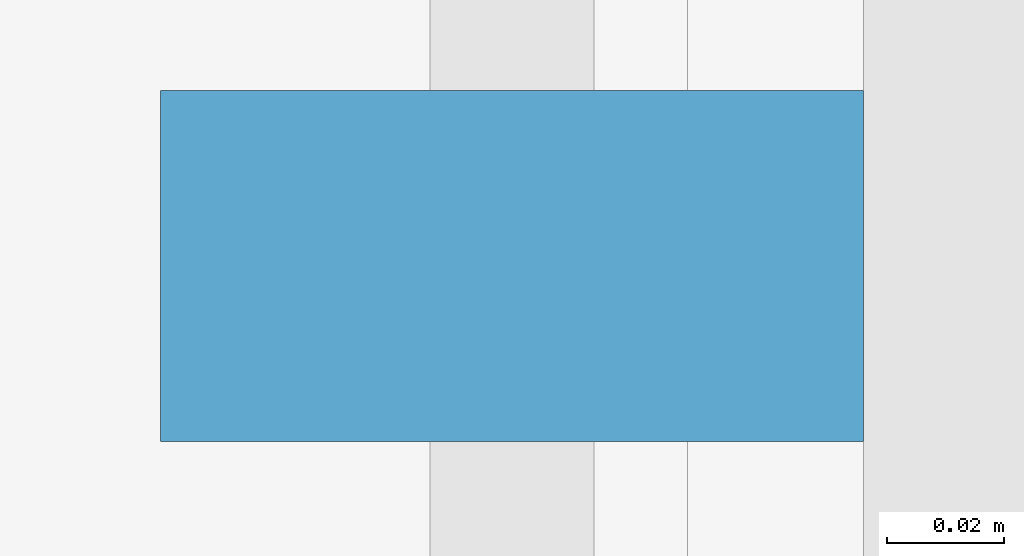
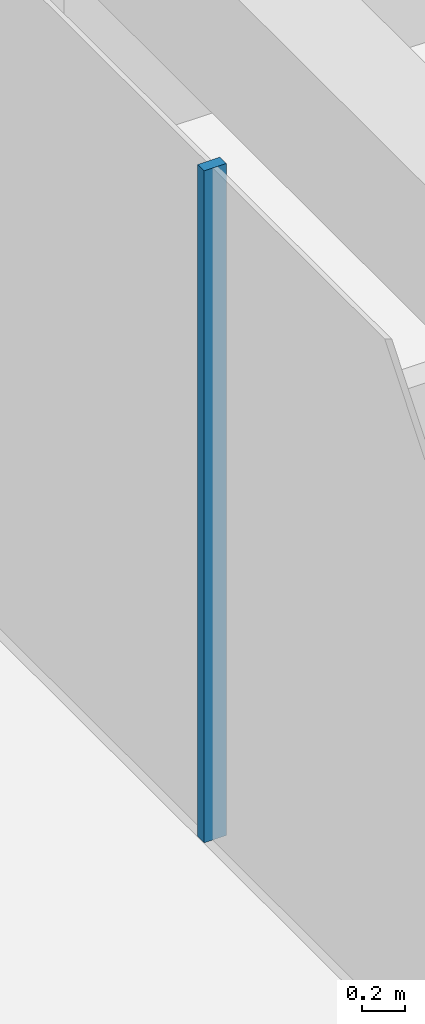
# One storey, part 8 of 18: 1 member, 1 element without a shape of its own.
"""IFC4 building model written with IfcOpenShell, lengths in metres."""

import ifcopenshell
import ifcopenshell.guid

model = None  # the IFC model being written
_history = None  # IfcOwnerHistory: only IFC2X3 demands one
_inside = {}  # id of a spatial element -> (the spatial element, [elements in it])
_under = {}  # id of a project, library or spatial element -> (it, [spatial elements below it])
_declared = {}  # id of a project -> (the project, [libraries it declares])
_typed = {}  # id of a type object -> (the type object, [elements of that type])
_made_of = {}  # id of a material, layer set ... -> (it, [elements and type objects made of it])


def new_model(schema):
    """Start an empty IFC model of exactly this schema.

    Asked for "IFC4X3", IfcOpenShell would pick the latest addendum, in which some entities
    have other attributes; the version numbers below select the first issue.
    IFC2X3 requires an IfcOwnerHistory on every rooted entity: one is made here for all.
    """
    global model, _history
    if schema == "IFC4X3":
        model = ifcopenshell.file(schema_version=(4, 3, 0, 0))
    else:
        model = ifcopenshell.file(schema=schema)
    _inside.clear()
    _under.clear()
    _declared.clear()
    _typed.clear()
    _made_of.clear()
    _history = None
    if model.schema == "IFC2X3":
        org = make("IfcOrganization", Name="unknown")
        user = make(
            "IfcPersonAndOrganization",
            ThePerson=make("IfcPerson", FamilyName="unknown"),
            TheOrganization=org,
        )
        app = make(
            "IfcApplication",
            ApplicationDeveloper=org,
            Version="unknown",
            ApplicationFullName="unknown",
            ApplicationIdentifier="unknown",
        )
        _history = make(
            "IfcOwnerHistory",
            OwningUser=user,
            OwningApplication=app,
            ChangeAction="ADDED",
            CreationDate=0,
        )
    return model


def make(cls, **values):
    """One entity of the class cls with the attributes given. An attribute that is None is left unset."""
    return model.create_entity(
        cls, **{name: value for name, value in values.items() if value is not None}
    )


def rooted(cls, **values):
    """An entity with a GlobalId (a new one), such as an element, a storey or a relation."""
    return make(cls, GlobalId=ifcopenshell.guid.new(), OwnerHistory=_history, **values)


def si_unit(unit_type, name, prefix=None):
    """IfcSIUnit, for example si_unit("LENGTHUNIT", "METRE", prefix="MILLI")."""
    return make("IfcSIUnit", UnitType=unit_type, Prefix=prefix, Name=name)


def assignment(units):
    """IfcUnitAssignment: the units of a project."""
    return None if units is None else make("IfcUnitAssignment", Units=units)


def point(xyz):
    """IfcCartesianPoint."""
    return None if xyz is None else make("IfcCartesianPoint", Coordinates=xyz)


def direction(xyz):
    """IfcDirection."""
    return None if xyz is None else make("IfcDirection", DirectionRatios=xyz)


def frame(location, z_axis=None, x_axis=None):
    """IfcAxis2Placement3D, a coordinate frame: its origin and axes. An axis left out is left unset."""
    return make(
        "IfcAxis2Placement3D",
        Location=point(location),
        Axis=direction(z_axis),
        RefDirection=direction(x_axis),
    )


def frame_2d(location, x_axis=None):
    """IfcAxis2Placement2D, a coordinate frame in the plane: its origin and x axis."""
    return make(
        "IfcAxis2Placement2D", Location=point(location), RefDirection=direction(x_axis)
    )


def origin():
    """The frame at (0, 0, 0) with its axes left unset."""
    return frame((0.0, 0.0, 0.0))


def origin_2d():
    """The frame at (0, 0) in the plane with its x axis left unset."""
    return frame_2d((0.0, 0.0))


def place(relative_to, where):
    """IfcLocalPlacement: puts the frame where relative to a parent placement (None: the world)."""
    return make(
        "IfcLocalPlacement", PlacementRelTo=relative_to, RelativePlacement=where
    )


def context(
    kind, dimensions, precision=None, world=None, true_north=None, identifier=None
):
    """IfcGeometricRepresentationContext, for example the 3D "Model" context."""
    return make(
        "IfcGeometricRepresentationContext",
        ContextIdentifier=identifier,
        ContextType=kind,
        CoordinateSpaceDimension=dimensions,
        Precision=precision,
        WorldCoordinateSystem=world,
        TrueNorth=true_north,
    )


def subcontext(parent, identifier, kind, view, scale=None):
    """IfcGeometricRepresentationSubContext, for example "Body" below "Model"."""
    return make(
        "IfcGeometricRepresentationSubContext",
        ContextIdentifier=identifier,
        ContextType=kind,
        ParentContext=parent,
        TargetScale=scale,
        TargetView=view,
    )


def project(units=None, contexts=None):
    """IfcProject with its units and contexts."""
    return rooted(
        "IfcProject",
        Name="project",
        RepresentationContexts=contexts,
        UnitsInContext=assignment(units),
    )


def spatial(cls, under=None, at=None, **own):
    """A site, building, storey or space (cls), placed at a placement, below another one or the project."""
    s = rooted(cls, ObjectPlacement=at, **own)
    if under is not None:
        _under.setdefault(under.id(), (under, []))[1].append(s)
    return s


def profile(cls, at=None, kind="AREA", **sizes):
    """A parametric profile (cls). Its sizes go by their IFC names, for example OverallWidth=200.0."""
    return make(cls, ProfileType=kind, Position=at, **sizes)


def rectangle(**sizes):
    """IfcRectangleProfileDef."""
    return profile("IfcRectangleProfileDef", **sizes)


def extrude(swept, where, along, depth):
    """IfcExtrudedAreaSolid: the profile swept, set in the frame where, extruded along a direction by depth."""
    return make(
        "IfcExtrudedAreaSolid",
        SweptArea=swept,
        Position=where,
        ExtrudedDirection=direction(along),
        Depth=depth,
    )


def shape(context_of_items, identifier, shape_type, items):
    """IfcShapeRepresentation: the items that make up one representation, for example the "Body"."""
    return make(
        "IfcShapeRepresentation",
        ContextOfItems=context_of_items,
        RepresentationIdentifier=identifier,
        RepresentationType=shape_type,
        Items=items,
    )


def material(Name=None, Category=None):
    """IfcMaterial."""
    return make("IfcMaterial", Name=Name, Category=Category)


def layer(
    of_material, thickness, ventilated=None, Name=None, Category=None, Priority=None
):
    """IfcMaterialLayer: one layer of a wall or slab, of a material (None: an air gap)."""
    return make(
        "IfcMaterialLayer",
        Material=of_material,
        LayerThickness=thickness,
        IsVentilated=ventilated,
        Name=Name,
        Category=Category,
        Priority=Priority,
    )


def layer_set(layers, Name=None):
    """IfcMaterialLayerSet."""
    return make("IfcMaterialLayerSet", MaterialLayers=layers, LayerSetName=Name)


def material_profile(
    of_material, cross_section, Name=None, Category=None, Priority=None
):
    """IfcMaterialProfile: a cross section and its material."""
    return make(
        "IfcMaterialProfile",
        Name=Name,
        Material=of_material,
        Profile=cross_section,
        Priority=Priority,
        Category=Category,
    )


def profile_set(profiles, Name=None, composite=None):
    """IfcMaterialProfileSet."""
    return make(
        "IfcMaterialProfileSet",
        Name=Name,
        MaterialProfiles=profiles,
        CompositeProfile=composite,
    )


def made_of(thing, what):
    """Note that an element or type object is made of a material, layer set ...; save() writes the relation."""
    if what is not None:
        _made_of.setdefault(what.id(), (what, []))[1].append(thing)
    return thing


def type_object(cls, material=None, **own):
    """A type object (cls), such as IfcWallType, which elements share."""
    return made_of(rooted(cls, **own), material)


def element(
    cls,
    number,
    at=None,
    inside=None,
    cuts=None,
    type_object=None,
    material=None,
    context=None,
    identifier="Body",
    shape_type=None,
    held_by="IfcProductDefinitionShape",
    body=None,
    shapes=None,
    **own,
):
    """One element of the class cls, such as IfcWall. Its Tag is "e" and its number.

    at: its placement. inside: the storey or other place that contains it. cuts: it is an
    opening in that element (IfcRelVoidsElement). A single representation is given by context,
    identifier, shape_type and body (its items); several are given by shapes. held_by: the class
    of the entity that holds the representations. save() writes the other relations.
    """
    e = rooted(cls, Tag="e%d" % number, ObjectPlacement=at, **own)
    if body is not None:
        shapes = [shape(context, identifier, shape_type, body)]
    if shapes is not None:
        e.Representation = make(held_by, Representations=shapes)
    if inside is not None:
        _inside.setdefault(inside.id(), (inside, []))[1].append(e)
    if cuts is not None:
        rooted(
            "IfcRelVoidsElement", RelatingBuildingElement=cuts, RelatedOpeningElement=e
        )
    if type_object is not None:
        _typed.setdefault(type_object.id(), (type_object, []))[1].append(e)
    return made_of(e, material)


def aggregate(whole, parts):
    """IfcRelAggregates: a whole, such as a stair, and the parts it consists of."""
    return rooted("IfcRelAggregates", RelatingObject=whole, RelatedObjects=parts)


def save(model, path):
    """Write the relations noted so far, then the file.

    IfcRelAggregates (storeys below a building ...), IfcRelContainedInSpatialStructure (elements
    in a storey), IfcRelDefinesByType, IfcRelAssociatesMaterial and IfcRelDeclares: one each for
    every whole, place, type object, material and project.
    """
    for whole, parts in _under.values():
        aggregate(whole, parts)
    for where, things in _inside.values():
        rooted(
            "IfcRelContainedInSpatialStructure",
            RelatedElements=things,
            RelatingStructure=where,
        )
    for kind, things in _typed.values():
        rooted("IfcRelDefinesByType", RelatedObjects=things, RelatingType=kind)
    for what, things in _made_of.values():
        rooted("IfcRelAssociatesMaterial", RelatedObjects=things, RelatingMaterial=what)
    for by, libraries in _declared.values():
        rooted("IfcRelDeclares", RelatingContext=by, RelatedDefinitions=libraries)
    model.write(path)


model = new_model("IFC4")

# Units and contexts
model_context = context("Model", 3, precision=1e-05, world=origin(), true_north=direction((0.0, 1.0)))
body_context = subcontext(model_context, "Body", "Model", "MODEL_VIEW")
ifc_project = project(units=[si_unit("LENGTHUNIT", "METRE"), si_unit("AREAUNIT", "SQUARE_METRE"), si_unit("VOLUMEUNIT", "CUBIC_METRE"), si_unit("PLANEANGLEUNIT", "RADIAN"), si_unit("MASSUNIT", "GRAM", prefix="KILO")], contexts=[model_context])

# Site, building, storey
site_placement = place(None, origin())
site = spatial("IfcSite", under=ifc_project, at=site_placement, CompositionType="ELEMENT")
building_placement = place(site_placement, origin())
building = spatial("IfcBuilding", under=site, at=building_placement, Name="Welwitschia Terrace Campus", CompositionType="ELEMENT")
storey_placement = place(building_placement, frame((0.0, 0.0, 281.0)))
storey = spatial("IfcBuildingStorey", under=building, at=storey_placement, Name="L62", CompositionType="ELEMENT", Elevation=281.0)

# Curtain wall, member
ifc_material_1 = material(Name="Bronze anodised aluminium", Category="aluminium")
ifc_layer = layer(ifc_material_1, 0.1201171875)
ifc_layer_set = layer_set([ifc_layer], Name="Bronze anodised aluminium")
curtain_wall_type = type_object("IfcCurtainWallType", Name="Curtain wall CW2 tower 6000", PredefinedType="NOTDEFINED", material=ifc_layer_set)
curtain_wall_placement = place(storey_placement, origin())
curtain_wall = element("IfcCurtainWall", 1, at=curtain_wall_placement, inside=storey, type_object=curtain_wall_type, Name="CW L62.0.0", PredefinedType="NOTDEFINED")
ifc_material_2 = material(Name="Bronze anodised aluminium", Category="aluminium")
ifc_material_profile = material_profile(ifc_material_2, rectangle(XDim=0.1201171875, YDim=0.06005859375, at=origin_2d()))
ifc_profile_set = profile_set([ifc_material_profile], Name="Bronze anodised aluminium")
member_type = type_object("IfcMemberType", Name="Mullion 60x120", PredefinedType="MULLION", material=ifc_profile_set)
member_placement = place(storey_placement, frame((-1.030029296875, 45.80224609375, 0.0), z_axis=(0.0, 0.0, 1.0), x_axis=(1.0, 0.0, 0.0)))
member = element("IfcMember", 2, at=member_placement, type_object=member_type, Name="Mullion L62.0.0.3", PredefinedType="MULLION", context=body_context, shape_type="SweptSolid", body=[
    extrude(rectangle(XDim=0.1201171875, YDim=0.06005859375, at=origin_2d()), origin(), (0.0, 0.0, 1.0), 3.85009765625),
])
aggregate(curtain_wall, [member])

save(model, "model.ifc")
